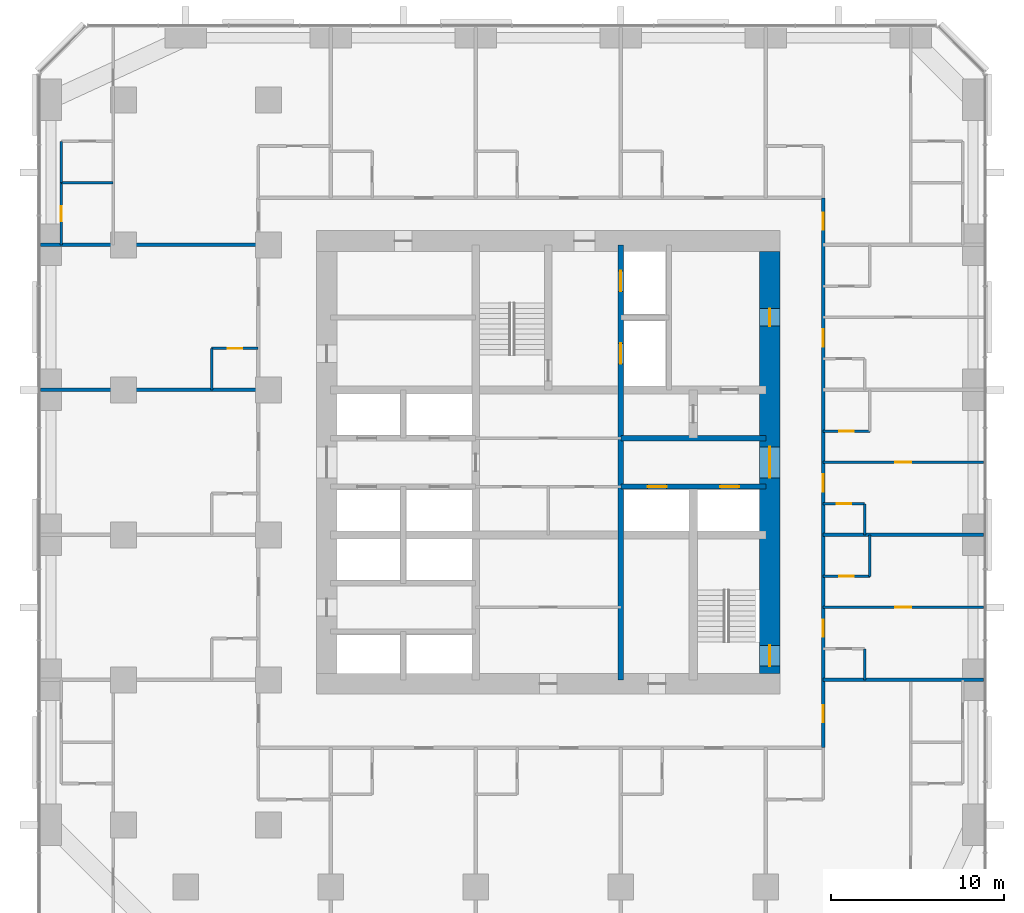
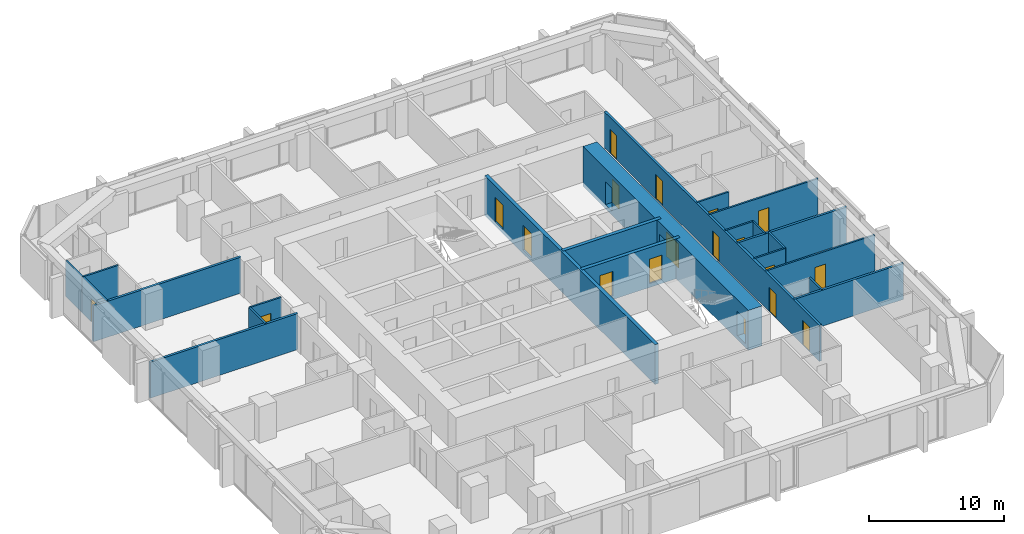
# One storey, part 10 of 13: 22 walls, 19 doors, 19 openings.
"""IFC4 building model written with IfcOpenShell, lengths in metres."""

from ifc_helpers import new_model, si_unit, direction, frame, frame_2d, origin, place, context, subcontext, project, spatial, rectangle, extrude, material, layer, layer_set, type_object, element, fill, save


model = new_model("IFC4")

# Units and contexts
model_context = context("Model", 3, precision=1e-05, world=origin(), true_north=direction((0.0, 1.0)))
body_context = subcontext(model_context, "Body", "Model", "MODEL_VIEW")
ifc_project = project(units=[si_unit("LENGTHUNIT", "METRE"), si_unit("AREAUNIT", "SQUARE_METRE"), si_unit("VOLUMEUNIT", "CUBIC_METRE"), si_unit("PLANEANGLEUNIT", "RADIAN"), si_unit("MASSUNIT", "GRAM", prefix="KILO")], contexts=[model_context])

# Site, building, storey
site_placement = place(None, origin())
site = spatial("IfcSite", under=ifc_project, at=site_placement, CompositionType="ELEMENT")
building_placement = place(site_placement, origin())
building = spatial("IfcBuilding", under=site, at=building_placement, Name="Dunama Terrace Hotel", CompositionType="ELEMENT")
storey_placement = place(building_placement, frame((0.0, 0.0, 115.199951171875)))
storey = spatial("IfcBuildingStorey", under=building, at=storey_placement, Name="L29", CompositionType="ELEMENT", Elevation=115.199951171875)

# Wall, opening, door
ifc_material_1 = material(Name="Gypsum board partition", Category="masonry")
ifc_layer_1 = layer(ifc_material_1, 0.14990234375)
ifc_layer_set_1 = layer_set([ifc_layer_1], Name="Bathroom partition 150")
wall_type_1 = type_object("IfcWallType", Name="Bathroom partition 150", PredefinedType="PARTITIONING", material=ifc_layer_set_1)
wall_1_placement = place(storey_placement, frame((1.199951171875, 42.0, 0.0), z_axis=(0.0, 0.0, 1.0), x_axis=(0.0, 1.0, 0.0)))
wall_1 = element("IfcWall", 1, at=wall_1_placement, inside=storey, type_object=wall_type_1, Name="Bathroom partition 150 L29", PredefinedType="PARTITIONING", context=body_context, shape_type="SweptSolid", body=[
    extrude(rectangle(XDim=3.60009765625, YDim=0.14990234375, at=frame_2d((1.800048828125, 0.0))), origin(), (0.0, 0.0, 1.0), 3.25),
])
opening_1_placement = place(wall_1_placement, frame((1.375, 0.0, 0.0)))
opening_1 = element("IfcOpeningElement", 2, at=opening_1_placement, cuts=wall_1, Name="Opening L28-29-059", PredefinedType="OPENING", context=body_context, shape_type="SweptSolid", body=[
    extrude(rectangle(XDim=0.85009765625, YDim=2.10009765625, at=frame_2d((0.425048828125, 1.050048828125))), frame((0.0, 0.0849609375, 0.0), z_axis=(0.0, -1.0, 0.0), x_axis=(1.0, 0.0, 0.0)), (0.0, 0.0, 1.0), 0.169921875),
])
ifc_material_2 = material(Name="Timber door with steel frame", Category="steel")
door_type_1 = type_object("IfcDoorType", Name="Bathroom door 850", OperationType="SINGLE_SWING_LEFT", PredefinedType="DOOR", material=ifc_material_2)
door_1_placement = place(opening_1_placement, frame((0.85009765625, 0.0, 0.0), z_axis=(0.0, 0.0, 1.0), x_axis=(-1.0, 0.0, 0.0)))
door_1 = element("IfcDoor", 3, at=door_1_placement, inside=storey, type_object=door_type_1, Name="Door to en-suite bathroom L28-29-059, type D2", OperationType="SINGLE_SWING_RIGHT", OverallHeight=2.10009765625, OverallWidth=0.85009765625, PredefinedType="DOOR", context=body_context, shape_type="SweptSolid", body=[
    extrude(rectangle(XDim=0.85009765625, YDim=2.10009765625, at=frame_2d((0.425048828125, 1.050048828125))), frame((0.0, 0.025146484375, 0.0), z_axis=(0.0, -1.0, 0.0), x_axis=(1.0, 0.0, 0.0)), (0.0, 0.0, 1.0), 0.050048828125),
])
fill(opening_1, door_1)

# Walls
wall_2_placement = place(storey_placement, frame((9.89990234375, 33.60009765625, 0.0), z_axis=(0.0, 0.0, 1.0), x_axis=(0.0, 1.0, 0.0)))
element("IfcWall", 4, at=wall_2_placement, inside=storey, type_object=wall_type_1, Name="Bathroom partition 150 L29", PredefinedType="PARTITIONING", context=body_context, shape_type="SweptSolid", body=[
    extrude(rectangle(XDim=2.39990234375, YDim=0.14990234375, at=frame_2d((1.199951171875, 0.0))), origin(), (0.0, 0.0, 1.0), 3.25),
])
for number, where, z_axis, x_axis, name in (
    (5, (47.72509765625, 16.800048828125, 0.0), (0.0, 0.0, 1.0), (0.0, 1.0, 0.0), "Bathroom partition 150 L29"),
    (6, (47.72509765625, 25.199951171875, 0.0), (0.0, 0.0, 1.0), (0.0, 1.0, 0.0), "Bathroom partition 150 L29"),
):
    element("IfcWall", number, at=place(storey_placement, frame(where, z_axis=z_axis, x_axis=x_axis)), inside=storey, type_object=wall_type_1, Name=name, PredefinedType="PARTITIONING", context=body_context, shape_type="SweptSolid", body=[
        extrude(rectangle(XDim=1.800048828125, YDim=0.14990234375, at=frame_2d((0.89990234375, 0.0))), origin(), (0.0, 0.0, 1.0), 3.25),
    ])
wall_3_placement = place(storey_placement, frame((48.02490234375, 22.800048828125, 0.0), z_axis=(0.0, 0.0, 1.0), x_axis=(0.0, 1.0, 0.0)))
element("IfcWall", 7, at=wall_3_placement, inside=storey, type_object=wall_type_1, Name="Bathroom partition 150 L29", PredefinedType="PARTITIONING", context=body_context, shape_type="SweptSolid", body=[
    extrude(rectangle(XDim=2.39990234375, YDim=0.14990234375, at=frame_2d((1.199951171875, 0.0))), origin(), (0.0, 0.0, 1.0), 3.25),
])

# Wall, opening, door
wall_4_placement = place(storey_placement, frame((45.324951171875, 22.800048828125, 0.0), z_axis=(0.0, 0.0, 1.0), x_axis=(1.0, 0.0, 0.0)))
wall_4 = element("IfcWall", 8, at=wall_4_placement, inside=storey, type_object=wall_type_1, Name="Bathroom partition 150 L29", PredefinedType="PARTITIONING", context=body_context, shape_type="SweptSolid", body=[
    extrude(rectangle(XDim=2.699951171875, YDim=0.14990234375, at=frame_2d((1.35009765625, 0.0))), origin(), (0.0, 0.0, 1.0), 3.25),
])
opening_2_placement = place(wall_4_placement, frame((0.925048828125, 0.0, 0.0)))
opening_2 = element("IfcOpeningElement", 9, at=opening_2_placement, cuts=wall_4, Name="Opening L28-29-020", PredefinedType="OPENING", context=body_context, shape_type="SweptSolid", body=[
    extrude(rectangle(XDim=0.85009765625, YDim=2.10009765625, at=frame_2d((0.425048828125, 1.050048828125))), frame((0.0, 0.0849609375, 0.0), z_axis=(0.0, -1.0, 0.0), x_axis=(1.0, 0.0, 0.0)), (0.0, 0.0, 1.0), 0.169921875),
])
door_2_placement = place(opening_2_placement, origin())
door_2 = element("IfcDoor", 10, at=door_2_placement, inside=storey, type_object=door_type_1, Name="Door to en-suite bathroom L28-29-020, type D2", OperationType="SINGLE_SWING_LEFT", OverallHeight=2.10009765625, OverallWidth=0.85009765625, PredefinedType="DOOR", context=body_context, shape_type="SweptSolid", body=[
    extrude(rectangle(XDim=0.85009765625, YDim=2.10009765625, at=frame_2d((0.425048828125, 1.050048828125))), frame((0.0, 0.02490234375, 0.0), z_axis=(0.0, -1.0, 0.0), x_axis=(1.0, 0.0, 0.0)), (0.0, 0.0, 1.0), 0.050048828125),
])
fill(opening_2, door_2)

wall_5_placement = place(storey_placement, frame((45.324951171875, 27.0, 0.0), z_axis=(0.0, 0.0, 1.0), x_axis=(1.0, 0.0, 0.0)))
wall_5 = element("IfcWall", 11, at=wall_5_placement, inside=storey, type_object=wall_type_1, Name="Bathroom partition 150 L29", PredefinedType="PARTITIONING", context=body_context, shape_type="SweptSolid", body=[
    extrude(rectangle(XDim=2.400146484375, YDim=0.14990234375, at=frame_2d((1.2001953125, 0.0))), origin(), (0.0, 0.0, 1.0), 3.25),
])
opening_3_placement = place(wall_5_placement, frame((0.77490234375, 0.0, 0.0)))
opening_3 = element("IfcOpeningElement", 12, at=opening_3_placement, cuts=wall_5, Name="Opening L28-29-022", PredefinedType="OPENING", context=body_context, shape_type="SweptSolid", body=[
    extrude(rectangle(XDim=0.85009765625, YDim=2.10009765625, at=frame_2d((0.425048828125, 1.050048828125))), frame((0.0, 0.0849609375, 0.0), z_axis=(0.0, -1.0, 0.0), x_axis=(1.0, 0.0, 0.0)), (0.0, 0.0, 1.0), 0.169921875),
])
door_3_placement = place(opening_3_placement, frame((0.85009765625, 0.0, 0.0), z_axis=(0.0, 0.0, 1.0), x_axis=(-1.0, 0.0, 0.0)))
door_3 = element("IfcDoor", 13, at=door_3_placement, inside=storey, type_object=door_type_1, Name="Door to powder room L28-29-022, type D2", OperationType="SINGLE_SWING_RIGHT", OverallHeight=2.10009765625, OverallWidth=0.85009765625, PredefinedType="DOOR", context=body_context, shape_type="SweptSolid", body=[
    extrude(rectangle(XDim=0.85009765625, YDim=2.10009765625, at=frame_2d((0.425048828125, 1.050048828125))), frame((0.0, 0.025146484375, 0.0), z_axis=(0.0, -1.0, 0.0), x_axis=(1.0, 0.0, 0.0)), (0.0, 0.0, 1.0), 0.050048828125),
])
fill(opening_3, door_3)

wall_6_placement = place(storey_placement, frame((45.324951171875, 31.199951171875, 0.0), z_axis=(0.0, 0.0, 1.0), x_axis=(1.0, 0.0, 0.0)))
wall_6 = element("IfcWall", 14, at=wall_6_placement, inside=storey, type_object=wall_type_1, Name="Bathroom partition 150 L29", PredefinedType="PARTITIONING", context=body_context, shape_type="SweptSolid", body=[
    extrude(rectangle(XDim=2.699951171875, YDim=0.14990234375, at=frame_2d((1.35009765625, 0.0))), origin(), (0.0, 0.0, 1.0), 3.25),
])
opening_4_placement = place(wall_6_placement, frame((0.925048828125, 0.0, 0.0)))
opening_4 = element("IfcOpeningElement", 15, at=opening_4_placement, cuts=wall_6, Name="Opening L28-29-024", PredefinedType="OPENING", context=body_context, shape_type="SweptSolid", body=[
    extrude(rectangle(XDim=0.85009765625, YDim=2.10009765625, at=frame_2d((0.425048828125, 1.050048828125))), frame((0.0, 0.0849609375, 0.0), z_axis=(0.0, -1.0, 0.0), x_axis=(1.0, 0.0, 0.0)), (0.0, 0.0, 1.0), 0.169921875),
])
door_4_placement = place(opening_4_placement, origin())
door_4 = element("IfcDoor", 16, at=door_4_placement, inside=storey, type_object=door_type_1, Name="Door to en-suite bathroom L28-29-024, type D2", OperationType="SINGLE_SWING_LEFT", OverallHeight=2.10009765625, OverallWidth=0.85009765625, PredefinedType="DOOR", context=body_context, shape_type="SweptSolid", body=[
    extrude(rectangle(XDim=0.85009765625, YDim=2.10009765625, at=frame_2d((0.425048828125, 1.050048828125))), frame((0.0, 0.02490234375, 0.0), z_axis=(0.0, -1.0, 0.0), x_axis=(1.0, 0.0, 0.0)), (0.0, 0.0, 1.0), 0.050048828125),
])
fill(opening_4, door_4)

wall_7_placement = place(storey_placement, frame((9.89990234375, 36.0, 0.0), z_axis=(0.0, 0.0, 1.0), x_axis=(1.0, 0.0, 0.0)))
wall_7 = element("IfcWall", 17, at=wall_7_placement, inside=storey, type_object=wall_type_1, Name="Bathroom partition 150 L29", PredefinedType="PARTITIONING", context=body_context, shape_type="SweptSolid", body=[
    extrude(rectangle(XDim=2.7001953125, YDim=0.14990234375, at=frame_2d((1.35009765625, 0.0))), origin(), (0.0, 0.0, 1.0), 3.25),
])
opening_5_placement = place(wall_7_placement, frame((0.925048828125, 0.0, 0.0)))
opening_5 = element("IfcOpeningElement", 18, at=opening_5_placement, cuts=wall_7, Name="Opening L28-29-040", PredefinedType="OPENING", context=body_context, shape_type="SweptSolid", body=[
    extrude(rectangle(XDim=0.85009765625, YDim=2.10009765625, at=frame_2d((0.425048828125, 1.050048828125))), frame((0.0, 0.0849609375, 0.0), z_axis=(0.0, -1.0, 0.0), x_axis=(1.0, 0.0, 0.0)), (0.0, 0.0, 1.0), 0.169921875),
])
door_5_placement = place(opening_5_placement, frame((0.85009765625, 0.0, 0.0), z_axis=(0.0, 0.0, 1.0), x_axis=(-1.0, 0.0, 0.0)))
door_5 = element("IfcDoor", 19, at=door_5_placement, inside=storey, type_object=door_type_1, Name="Door to en-suite bathroom L28-29-040, type D2", OperationType="SINGLE_SWING_LEFT", OverallHeight=2.10009765625, OverallWidth=0.85009765625, PredefinedType="DOOR", context=body_context, shape_type="SweptSolid", body=[
    extrude(rectangle(XDim=0.85009765625, YDim=2.10009765625, at=frame_2d((0.425048828125, 1.050048828125))), frame((0.0, 0.025146484375, 0.0), z_axis=(0.0, -1.0, 0.0), x_axis=(1.0, 0.0, 0.0)), (0.0, 0.0, 1.0), 0.050048828125),
])
fill(opening_5, door_5)

# Wall, openings, doors
ifc_material_3 = material(Name="Concrete C50/60", Category="concrete")
ifc_layer_2 = layer(ifc_material_3, 0.300048828125)
ifc_layer_set_2 = layer_set([ifc_layer_2], Name="Core inner wall 300")
wall_type_2 = type_object("IfcWallType", Name="Core inner wall 300", PredefinedType="SHEAR", material=ifc_layer_set_2)
wall_8_placement = place(storey_placement, frame((33.60009765625, 16.800048828125, -0.349853515625), z_axis=(0.0, 0.0, 1.0), x_axis=(0.0, 1.0, 0.0)))
wall_8 = element("IfcWall", 20, at=wall_8_placement, inside=storey, type_object=wall_type_2, Name="Core inner wall 300 L29", PredefinedType="SHEAR", context=body_context, shape_type="SweptSolid", body=[
    extrude(rectangle(XDim=25.199951171875, YDim=0.300048828125, at=frame_2d((12.60009765625, 0.0))), origin(), (0.0, 0.0, 1.0), 3.599853515625),
])
opening_6_placement = place(wall_8_placement, frame((22.5, 0.0, 0.35009765625)))
opening_6 = element("IfcOpeningElement", 21, at=opening_6_placement, cuts=wall_8, Name="Opening L28-29-009", PredefinedType="OPENING", context=body_context, shape_type="SweptSolid", body=[
    extrude(rectangle(XDim=1.199951171875, YDim=2.199951171875, at=frame_2d((0.60009765625, 1.10009765625))), frame((0.0, 0.159912109375, 0.0), z_axis=(0.0, -1.0, 0.0), x_axis=(1.0, 0.0, 0.0)), (0.0, 0.0, 1.0), 0.320068359375),
])
opening_7_placement = place(wall_8_placement, frame((18.300048828125, 0.0, 0.35009765625)))
opening_7 = element("IfcOpeningElement", 22, at=opening_7_placement, cuts=wall_8, Name="Opening L28-29-010", PredefinedType="OPENING", context=body_context, shape_type="SweptSolid", body=[
    extrude(rectangle(XDim=1.199951171875, YDim=2.199951171875, at=frame_2d((0.60009765625, 1.10009765625))), frame((0.0, 0.159912109375, 0.0), z_axis=(0.0, -1.0, 0.0), x_axis=(1.0, 0.0, 0.0)), (0.0, 0.0, 1.0), 0.320068359375),
])
ifc_material_4 = material(Name="Stainless steel lift door", Category="steel")
door_type_2 = type_object("IfcDoorType", Name="Firefighting lift landing door 1200", OperationType="DOUBLE_DOOR_SLIDING", PredefinedType="DOOR", material=ifc_material_4)
door_6_placement = place(opening_6_placement, origin())
door_6 = element("IfcDoor", 23, at=door_6_placement, inside=storey, type_object=door_type_2, Name="Landing door FL1 L28-29-009, type LD2", OperationType="DOUBLE_DOOR_SLIDING", OverallHeight=2.199951171875, OverallWidth=1.199951171875, PredefinedType="DOOR", context=body_context, shape_type="SweptSolid", body=[
    extrude(rectangle(XDim=1.199951171875, YDim=2.199951171875, at=frame_2d((0.60009765625, 1.10009765625))), frame((0.0, 0.02490234375, 0.0), z_axis=(0.0, -1.0, 0.0), x_axis=(1.0, 0.0, 0.0)), (0.0, 0.0, 1.0), 0.050048828125),
])
fill(opening_6, door_6)
door_7_placement = place(opening_7_placement, origin())
door_7 = element("IfcDoor", 24, at=door_7_placement, inside=storey, type_object=door_type_2, Name="Landing door FL2 L28-29-010, type LD2", OperationType="DOUBLE_DOOR_SLIDING", OverallHeight=2.199951171875, OverallWidth=1.199951171875, PredefinedType="DOOR", context=body_context, shape_type="SweptSolid", body=[
    extrude(rectangle(XDim=1.199951171875, YDim=2.199951171875, at=frame_2d((0.60009765625, 1.10009765625))), frame((0.0, 0.02490234375, 0.0), z_axis=(0.0, -1.0, 0.0), x_axis=(1.0, 0.0, 0.0)), (0.0, 0.0, 1.0), 0.050048828125),
])
fill(opening_7, door_7)

wall_9_placement = place(storey_placement, frame((33.60009765625, 28.0, -0.349853515625), z_axis=(0.0, 0.0, 1.0), x_axis=(1.0, 0.0, 0.0)))
wall_9 = element("IfcWall", 25, at=wall_9_placement, inside=storey, type_object=wall_type_2, Name="Core inner wall 300 L29", PredefinedType="SHEAR", context=body_context, shape_type="SweptSolid", body=[
    extrude(rectangle(XDim=8.39990234375, YDim=0.300048828125, at=frame_2d((4.199951171875, 0.0))), origin(), (0.0, 0.0, 1.0), 3.599853515625),
])
opening_8_placement = place(wall_9_placement, frame((1.550048828125, 0.0, 0.35009765625)))
opening_8 = element("IfcOpeningElement", 26, at=opening_8_placement, cuts=wall_9, Name="Opening L28-29-003", PredefinedType="OPENING", context=body_context, shape_type="SweptSolid", body=[
    extrude(rectangle(XDim=1.10009765625, YDim=2.199951171875, at=frame_2d((0.550048828125, 1.10009765625))), frame((0.0, 0.159912109375, 0.0), z_axis=(0.0, -1.0, 0.0), x_axis=(1.0, 0.0, 0.0)), (0.0, 0.0, 1.0), 0.320068359375),
])
opening_9_placement = place(wall_9_placement, frame((5.75, 0.0, 0.35009765625)))
opening_9 = element("IfcOpeningElement", 27, at=opening_9_placement, cuts=wall_9, Name="Opening L28-29-004", PredefinedType="OPENING", context=body_context, shape_type="SweptSolid", body=[
    extrude(rectangle(XDim=1.10009765625, YDim=2.199951171875, at=frame_2d((0.550048828125, 1.10009765625))), frame((0.0, 0.159912109375, 0.0), z_axis=(0.0, -1.0, 0.0), x_axis=(1.0, 0.0, 0.0)), (0.0, 0.0, 1.0), 0.320068359375),
])
ifc_material_5 = material(Name="Stainless steel lift door", Category="steel")
door_type_3 = type_object("IfcDoorType", Name="Lift landing door 1100", OperationType="DOUBLE_DOOR_SLIDING", PredefinedType="DOOR", material=ifc_material_5)
door_8_placement = place(opening_8_placement, origin())
door_8 = element("IfcDoor", 28, at=door_8_placement, inside=storey, type_object=door_type_3, Name="Landing door PB1 L28-29-003, type LD1", OperationType="DOUBLE_DOOR_SLIDING", OverallHeight=2.199951171875, OverallWidth=1.10009765625, PredefinedType="DOOR", context=body_context, shape_type="SweptSolid", body=[
    extrude(rectangle(XDim=1.10009765625, YDim=2.199951171875, at=frame_2d((0.550048828125, 1.10009765625))), frame((0.0, 0.02490234375, 0.0), z_axis=(0.0, -1.0, 0.0), x_axis=(1.0, 0.0, 0.0)), (0.0, 0.0, 1.0), 0.050048828125),
])
fill(opening_8, door_8)
door_9_placement = place(opening_9_placement, origin())
door_9 = element("IfcDoor", 29, at=door_9_placement, inside=storey, type_object=door_type_3, Name="Landing door PB2 L28-29-004, type LD1", OperationType="DOUBLE_DOOR_SLIDING", OverallHeight=2.199951171875, OverallWidth=1.10009765625, PredefinedType="DOOR", context=body_context, shape_type="SweptSolid", body=[
    extrude(rectangle(XDim=1.10009765625, YDim=2.199951171875, at=frame_2d((0.550048828125, 1.10009765625))), frame((0.0, 0.02490234375, 0.0), z_axis=(0.0, -1.0, 0.0), x_axis=(1.0, 0.0, 0.0)), (0.0, 0.0, 1.0), 0.050048828125),
])
fill(opening_9, door_9)

# Wall
wall_10_placement = place(storey_placement, frame((33.60009765625, 30.800048828125, -0.349853515625), z_axis=(0.0, 0.0, 1.0), x_axis=(1.0, 0.0, 0.0)))
element("IfcWall", 30, at=wall_10_placement, inside=storey, type_object=wall_type_2, Name="Core inner wall 300 L29", PredefinedType="SHEAR", context=body_context, shape_type="SweptSolid", body=[
    extrude(rectangle(XDim=8.39990234375, YDim=0.300048828125, at=frame_2d((4.199951171875, 0.0))), origin(), (0.0, 0.0, 1.0), 3.599853515625),
])

# Wall, openings, doors
ifc_material_6 = material(Name="Concrete C60/75", Category="concrete")
ifc_layer_3 = layer(ifc_material_6, 1.199951171875)
ifc_layer_set_3 = layer_set([ifc_layer_3], Name="Core wall 1200")
wall_type_3 = type_object("IfcWallType", Name="Core wall 1200", PredefinedType="SHEAR", material=ifc_layer_set_3)
wall_11_placement = place(storey_placement, frame((42.22509765625, 17.175048828125, -0.349853515625), z_axis=(0.0, 0.0, 1.0), x_axis=(0.0, 1.0, 0.0)))
wall_11 = element("IfcWall", 31, at=wall_11_placement, inside=storey, type_object=wall_type_3, Name="Core wall east L29", PredefinedType="SHEAR", context=body_context, shape_type="SweptSolid", body=[
    extrude(rectangle(XDim=24.449951171875, YDim=1.199951171875, at=frame_2d((12.22509765625, 0.0))), origin(), (0.0, 0.0, 1.0), 3.599853515625),
])
opening_10_placement = place(wall_11_placement, frame((0.425048828125, 0.0, 0.35009765625)))
opening_10 = element("IfcOpeningElement", 32, at=opening_10_placement, cuts=wall_11, Name="Opening L28-29-002", PredefinedType="OPENING", context=body_context, shape_type="SweptSolid", body=[
    extrude(rectangle(XDim=1.199951171875, YDim=2.199951171875, at=frame_2d((0.60009765625, 1.10009765625))), frame((0.0, 0.60986328125, 0.0), z_axis=(0.0, -1.0, 0.0), x_axis=(1.0, 0.0, 0.0)), (0.0, 0.0, 1.0), 1.219970703125),
])
opening_11_placement = place(wall_11_placement, frame((11.324951171875, 0.0, 0.35009765625)))
opening_11 = element("IfcOpeningElement", 33, at=opening_11_placement, cuts=wall_11, Name="Opening L28-29-071", PredefinedType="OPENING", context=body_context, shape_type="SweptSolid", body=[
    extrude(rectangle(XDim=1.800048828125, YDim=2.199951171875, at=frame_2d((0.89990234375, 1.10009765625))), frame((0.0, 0.60986328125, 0.0), z_axis=(0.0, -1.0, 0.0), x_axis=(1.0, 0.0, 0.0)), (0.0, 0.0, 1.0), 1.219970703125),
])
opening_12_placement = place(wall_11_placement, frame((20.125, 0.0, 0.35009765625)))
opening_12 = element("IfcOpeningElement", 34, at=opening_12_placement, cuts=wall_11, Name="Opening L28-29-073", PredefinedType="OPENING", context=body_context, shape_type="SweptSolid", body=[
    extrude(rectangle(XDim=1.0, YDim=2.10009765625, at=frame_2d((0.5, 1.050048828125))), frame((0.0, 0.60986328125, 0.0), z_axis=(0.0, -1.0, 0.0), x_axis=(1.0, 0.0, 0.0)), (0.0, 0.0, 1.0), 1.219970703125),
])
ifc_material_7 = material(Name="Timber door with steel frame", Category="steel")
door_type_4 = type_object("IfcDoorType", Name="Lift lobby double door 1800", OperationType="DOUBLE_DOOR_DOUBLE_SWING", PredefinedType="DOOR", material=ifc_material_7)
door_10_placement = place(opening_11_placement, origin())
door_10 = element("IfcDoor", 35, at=door_10_placement, inside=storey, type_object=door_type_4, Name="Door to lift lobby L28-29-071, type D3", OperationType="DOUBLE_DOOR_DOUBLE_SWING", OverallHeight=2.199951171875, OverallWidth=1.800048828125, PredefinedType="DOOR", context=body_context, shape_type="SweptSolid", body=[
    extrude(rectangle(XDim=1.800048828125, YDim=2.199951171875, at=frame_2d((0.89990234375, 1.10009765625))), frame((0.0, 0.02490234375, 0.0), z_axis=(0.0, -1.0, 0.0), x_axis=(1.0, 0.0, 0.0)), (0.0, 0.0, 1.0), 0.050048828125),
])
fill(opening_11, door_10)
ifc_material_8 = material(Name="Timber door with steel frame", Category="steel")
door_type_5 = type_object("IfcDoorType", Name="Service door 1000", OperationType="SINGLE_SWING_LEFT", PredefinedType="DOOR", material=ifc_material_8)
door_11_placement = place(opening_12_placement, origin())
door_11 = element("IfcDoor", 36, at=door_11_placement, inside=storey, type_object=door_type_5, Name="Door to linen store L28-29-073, type D7", OperationType="SINGLE_SWING_LEFT", OverallHeight=2.10009765625, OverallWidth=1.0, PredefinedType="DOOR", context=body_context, shape_type="SweptSolid", body=[
    extrude(rectangle(XDim=1.0, YDim=2.10009765625, at=frame_2d((0.5, 1.050048828125))), frame((0.0, 0.02490234375, 0.0), z_axis=(0.0, -1.0, 0.0), x_axis=(1.0, 0.0, 0.0)), (0.0, 0.0, 1.0), 0.050048828125),
])
fill(opening_12, door_11)
ifc_material_9 = material(Name="Timber door with steel frame", Category="steel")
door_type_6 = type_object("IfcDoorType", Name="Stair door 1200", OperationType="SINGLE_SWING_LEFT", PredefinedType="DOOR", material=ifc_material_9)
door_12_placement = place(opening_10_placement, origin())
door_12 = element("IfcDoor", 37, at=door_12_placement, inside=storey, type_object=door_type_6, Name="Stair door ST2 L28-29-002, type D5", OperationType="SINGLE_SWING_LEFT", OverallHeight=2.199951171875, OverallWidth=1.199951171875, PredefinedType="DOOR", context=body_context, shape_type="SweptSolid", body=[
    extrude(rectangle(XDim=1.199951171875, YDim=2.199951171875, at=frame_2d((0.60009765625, 1.10009765625))), frame((0.0, 0.02490234375, 0.0), z_axis=(0.0, -1.0, 0.0), x_axis=(1.0, 0.0, 0.0)), (0.0, 0.0, 1.0), 0.050048828125),
])
fill(opening_10, door_12)

ifc_material_10 = material(Name="Concrete blockwork", Category="masonry")
ifc_layer_4 = layer(ifc_material_10, 0.199951171875)
ifc_layer_set_4 = layer_set([ifc_layer_4], Name="Corridor partition 200")
wall_type_4 = type_object("IfcWallType", Name="Corridor partition 200", PredefinedType="PARTITIONING", material=ifc_layer_set_4)
wall_12_placement = place(storey_placement, frame((45.324951171875, 44.72509765625, 0.0), z_axis=(0.0, 0.0, 1.0), x_axis=(0.0, -1.0, 0.0)))
wall_12 = element("IfcWall", 38, at=wall_12_placement, inside=storey, type_object=wall_type_4, Name="Corridor partition 200 L29", PredefinedType="PARTITIONING", context=body_context, shape_type="SweptSolid", body=[
    extrude(rectangle(XDim=31.85009765625, YDim=0.199951171875, at=frame_2d((15.925048828125, 0.0))), origin(), (0.0, 0.0, 1.0), 3.25),
])
opening_13_placement = place(wall_12_placement, frame((24.425048828125, 0.0, 0.0)))
opening_13 = element("IfcOpeningElement", 39, at=opening_13_placement, cuts=wall_12, Name="Opening L28-29-017", PredefinedType="OPENING", context=body_context, shape_type="SweptSolid", body=[
    extrude(rectangle(XDim=1.0, YDim=2.199951171875, at=frame_2d((0.5, 1.10009765625))), frame((0.0, 0.10986328125, 0.0), z_axis=(0.0, -1.0, 0.0), x_axis=(1.0, 0.0, 0.0)), (0.0, 0.0, 1.0), 0.219970703125),
])
opening_14_placement = place(wall_12_placement, frame((16.02490234375, 0.0, 0.0)))
opening_14 = element("IfcOpeningElement", 40, at=opening_14_placement, cuts=wall_12, Name="Opening L28-29-021", PredefinedType="OPENING", context=body_context, shape_type="SweptSolid", body=[
    extrude(rectangle(XDim=1.0, YDim=2.199951171875, at=frame_2d((0.5, 1.10009765625))), frame((0.0, 0.10986328125, 0.0), z_axis=(0.0, -1.0, 0.0), x_axis=(1.0, 0.0, 0.0)), (0.0, 0.0, 1.0), 0.219970703125),
])
opening_15_placement = place(wall_12_placement, frame((7.625, 0.0, 0.0)))
opening_15 = element("IfcOpeningElement", 41, at=opening_15_placement, cuts=wall_12, Name="Opening L28-29-025", PredefinedType="OPENING", context=body_context, shape_type="SweptSolid", body=[
    extrude(rectangle(XDim=1.0, YDim=2.199951171875, at=frame_2d((0.5, 1.10009765625))), frame((0.0, 0.10986328125, 0.0), z_axis=(0.0, -1.0, 0.0), x_axis=(1.0, 0.0, 0.0)), (0.0, 0.0, 1.0), 0.219970703125),
])
opening_16_placement = place(wall_12_placement, frame((29.386962890625, 0.0, 0.0)))
opening_16 = element("IfcOpeningElement", 42, at=opening_16_placement, cuts=wall_12, Name="Opening L28-29-046", PredefinedType="OPENING", context=body_context, shape_type="SweptSolid", body=[
    extrude(rectangle(XDim=1.0, YDim=2.199951171875, at=frame_2d((0.5, 1.10009765625))), frame((0.0, 0.10986328125, 0.0), z_axis=(0.0, -1.0, 0.0), x_axis=(1.0, 0.0, 0.0)), (0.0, 0.0, 1.0), 0.219970703125),
])
opening_17_placement = place(wall_12_placement, frame((0.863037109375, 0.0, 0.0)))
opening_17 = element("IfcOpeningElement", 43, at=opening_17_placement, cuts=wall_12, Name="Opening L28-29-051", PredefinedType="OPENING", context=body_context, shape_type="SweptSolid", body=[
    extrude(rectangle(XDim=1.0, YDim=2.199951171875, at=frame_2d((0.5, 1.10009765625))), frame((0.0, 0.10986328125, 0.0), z_axis=(0.0, -1.0, 0.0), x_axis=(1.0, 0.0, 0.0)), (0.0, 0.0, 1.0), 0.219970703125),
])
ifc_material_11 = material(Name="Timber door with steel frame", Category="steel")
door_type_7 = type_object("IfcDoorType", Name="Guest room door 1000", OperationType="SINGLE_SWING_LEFT", PredefinedType="DOOR", material=ifc_material_11)
door_13_placement = place(opening_13_placement, origin())
door_13 = element("IfcDoor", 44, at=door_13_placement, inside=storey, type_object=door_type_7, Name="Door to premier suite living room L28-29-017, type D1", OperationType="SINGLE_SWING_RIGHT", OverallHeight=2.199951171875, OverallWidth=1.0, PredefinedType="DOOR", context=body_context, shape_type="SweptSolid", body=[
    extrude(rectangle(XDim=1.0, YDim=2.199951171875, at=frame_2d((0.5, 1.10009765625))), frame((0.0, 0.02490234375, 0.0), z_axis=(0.0, -1.0, 0.0), x_axis=(1.0, 0.0, 0.0)), (0.0, 0.0, 1.0), 0.050048828125),
])
fill(opening_13, door_13)
door_14_placement = place(opening_14_placement, origin())
door_14 = element("IfcDoor", 45, at=door_14_placement, inside=storey, type_object=door_type_7, Name="Door to premier suite living room L28-29-021, type D1", OperationType="SINGLE_SWING_LEFT", OverallHeight=2.199951171875, OverallWidth=1.0, PredefinedType="DOOR", context=body_context, shape_type="SweptSolid", body=[
    extrude(rectangle(XDim=1.0, YDim=2.199951171875, at=frame_2d((0.5, 1.10009765625))), frame((0.0, 0.02490234375, 0.0), z_axis=(0.0, -1.0, 0.0), x_axis=(1.0, 0.0, 0.0)), (0.0, 0.0, 1.0), 0.050048828125),
])
fill(opening_14, door_14)
door_15_placement = place(opening_15_placement, origin())
door_15 = element("IfcDoor", 46, at=door_15_placement, inside=storey, type_object=door_type_7, Name="Door to premier suite living room L28-29-025, type D1", OperationType="SINGLE_SWING_LEFT", OverallHeight=2.199951171875, OverallWidth=1.0, PredefinedType="DOOR", context=body_context, shape_type="SweptSolid", body=[
    extrude(rectangle(XDim=1.0, YDim=2.199951171875, at=frame_2d((0.5, 1.10009765625))), frame((0.0, 0.02490234375, 0.0), z_axis=(0.0, -1.0, 0.0), x_axis=(1.0, 0.0, 0.0)), (0.0, 0.0, 1.0), 0.050048828125),
])
fill(opening_15, door_15)
door_16_placement = place(opening_16_placement, origin())
door_16 = element("IfcDoor", 47, at=door_16_placement, inside=storey, type_object=door_type_7, Name="Door to corner suite living room L28-29-046, type D1", OperationType="SINGLE_SWING_LEFT", OverallHeight=2.199951171875, OverallWidth=1.0, PredefinedType="DOOR", context=body_context, shape_type="SweptSolid", body=[
    extrude(rectangle(XDim=1.0, YDim=2.199951171875, at=frame_2d((0.5, 1.10009765625))), frame((0.0, 0.02490234375, 0.0), z_axis=(0.0, -1.0, 0.0), x_axis=(1.0, 0.0, 0.0)), (0.0, 0.0, 1.0), 0.050048828125),
])
fill(opening_16, door_16)
door_17_placement = place(opening_17_placement, origin())
door_17 = element("IfcDoor", 48, at=door_17_placement, inside=storey, type_object=door_type_7, Name="Door to corner suite living room L28-29-051, type D1", OperationType="SINGLE_SWING_RIGHT", OverallHeight=2.199951171875, OverallWidth=1.0, PredefinedType="DOOR", context=body_context, shape_type="SweptSolid", body=[
    extrude(rectangle(XDim=1.0, YDim=2.199951171875, at=frame_2d((0.5, 1.10009765625))), frame((0.0, 0.02490234375, 0.0), z_axis=(0.0, -1.0, 0.0), x_axis=(1.0, 0.0, 0.0)), (0.0, 0.0, 1.0), 0.050048828125),
])
fill(opening_17, door_17)

# Walls
ifc_material_12 = material(Name="Concrete blockwork", Category="masonry")
ifc_layer_5 = layer(ifc_material_12, 0.199951171875)
ifc_layer_set_5 = layer_set([ifc_layer_5], Name="Party wall 200")
wall_type_5 = type_object("IfcWallType", Name="Party wall 200", PredefinedType="PARTITIONING", material=ifc_layer_set_5)
for number, where, z_axis, x_axis, name in (
    (49, (45.324951171875, 16.800048828125, 0.0), (0.0, 0.0, 1.0), (1.0, 0.0, 0.0), "Party wall 200 L29"),
    (50, (45.324951171875, 25.199951171875, 0.0), (0.0, 0.0, 1.0), (1.0, 0.0, 0.0), "Party wall 200 L29"),
):
    element("IfcWall", number, at=place(storey_placement, frame(where, z_axis=z_axis, x_axis=x_axis)), inside=storey, type_object=wall_type_5, Name=name, PredefinedType="PARTITIONING", context=body_context, shape_type="SweptSolid", body=[
        extrude(rectangle(XDim=9.29296875, YDim=0.199951171875, at=frame_2d((4.646484375, 0.0))), origin(), (0.0, 0.0, 1.0), 3.25),
    ])
for number, where, z_axis, x_axis, name in (
    (51, (-0.01806640625, 33.60009765625, 0.0), (0.0, 0.0, 1.0), (1.0, 0.0, 0.0), "Party wall 200 L29"),
    (52, (-0.01806640625, 42.0, 0.0), (0.0, 0.0, 1.0), (1.0, 0.0, 0.0), "Party wall 200 L29"),
):
    element("IfcWall", number, at=place(storey_placement, frame(where, z_axis=z_axis, x_axis=x_axis)), inside=storey, type_object=wall_type_5, Name=name, PredefinedType="PARTITIONING", context=body_context, shape_type="SweptSolid", body=[
        extrude(rectangle(XDim=12.6181640625, YDim=0.199951171875, at=frame_2d((6.30908203125, 0.0))), origin(), (0.0, 0.0, 1.0), 3.25),
    ])
ifc_material_13 = material(Name="Gypsum board partition", Category="masonry")
ifc_layer_6 = layer(ifc_material_13, 0.14990234375)
ifc_layer_set_6 = layer_set([ifc_layer_6], Name="Room partition 150")
wall_type_6 = type_object("IfcWallType", Name="Room partition 150", PredefinedType="PARTITIONING", material=ifc_layer_set_6)
wall_13_placement = place(storey_placement, frame((1.199951171875, 45.60009765625, 0.0), z_axis=(0.0, 0.0, 1.0), x_axis=(0.0, 1.0, 0.0)))
element("IfcWall", 53, at=wall_13_placement, inside=storey, type_object=wall_type_6, Name="Room partition 150 L29", PredefinedType="PARTITIONING", context=body_context, shape_type="SweptSolid", body=[
    extrude(rectangle(XDim=2.39990234375, YDim=0.14990234375, at=frame_2d((1.199951171875, 0.0))), origin(), (0.0, 0.0, 1.0), 3.25),
])

# Wall, opening, door
wall_14_placement = place(storey_placement, frame((45.324951171875, 21.0, 0.0), z_axis=(0.0, 0.0, 1.0), x_axis=(1.0, 0.0, 0.0)))
wall_14 = element("IfcWall", 54, at=wall_14_placement, inside=storey, type_object=wall_type_6, Name="Room partition 150 L29", PredefinedType="PARTITIONING", context=body_context, shape_type="SweptSolid", body=[
    extrude(rectangle(XDim=9.29296875, YDim=0.14990234375, at=frame_2d((4.646484375, 0.0))), origin(), (0.0, 0.0, 1.0), 3.25),
])
opening_18_placement = place(wall_14_placement, frame((4.18798828125, 0.0, 0.0)))
opening_18 = element("IfcOpeningElement", 55, at=opening_18_placement, cuts=wall_14, Name="Opening L28-29-019", PredefinedType="OPENING", context=body_context, shape_type="SweptSolid", body=[
    extrude(rectangle(XDim=0.89990234375, YDim=2.10009765625, at=frame_2d((0.449951171875, 1.050048828125))), frame((0.0, 0.0849609375, 0.0), z_axis=(0.0, -1.0, 0.0), x_axis=(1.0, 0.0, 0.0)), (0.0, 0.0, 1.0), 0.169921875),
])
ifc_material_14 = material(Name="Timber door with steel frame", Category="steel")
door_type_8 = type_object("IfcDoorType", Name="Suite internal door 900", OperationType="SINGLE_SWING_LEFT", PredefinedType="DOOR", material=ifc_material_14)
door_18_placement = place(opening_18_placement, origin())
door_18 = element("IfcDoor", 56, at=door_18_placement, inside=storey, type_object=door_type_8, Name="Door to premier suite bedroom L28-29-019, type D16", OperationType="SINGLE_SWING_LEFT", OverallHeight=2.10009765625, OverallWidth=0.89990234375, PredefinedType="DOOR", context=body_context, shape_type="SweptSolid", body=[
    extrude(rectangle(XDim=0.89990234375, YDim=2.10009765625, at=frame_2d((0.449951171875, 1.050048828125))), frame((0.0, 0.02490234375, 0.0), z_axis=(0.0, -1.0, 0.0), x_axis=(1.0, 0.0, 0.0)), (0.0, 0.0, 1.0), 0.050048828125),
])
fill(opening_18, door_18)

wall_15_placement = place(storey_placement, frame((45.324951171875, 29.39990234375, 0.0), z_axis=(0.0, 0.0, 1.0), x_axis=(1.0, 0.0, 0.0)))
wall_15 = element("IfcWall", 57, at=wall_15_placement, inside=storey, type_object=wall_type_6, Name="Room partition 150 L29", PredefinedType="PARTITIONING", context=body_context, shape_type="SweptSolid", body=[
    extrude(rectangle(XDim=9.29296875, YDim=0.14990234375, at=frame_2d((4.646484375, 0.0))), origin(), (0.0, 0.0, 1.0), 3.25),
])
opening_19_placement = place(wall_15_placement, frame((4.18798828125, 0.0, 0.0)))
opening_19 = element("IfcOpeningElement", 58, at=opening_19_placement, cuts=wall_15, Name="Opening L28-29-023", PredefinedType="OPENING", context=body_context, shape_type="SweptSolid", body=[
    extrude(rectangle(XDim=0.89990234375, YDim=2.10009765625, at=frame_2d((0.449951171875, 1.050048828125))), frame((0.0, 0.0849609375, 0.0), z_axis=(0.0, -1.0, 0.0), x_axis=(1.0, 0.0, 0.0)), (0.0, 0.0, 1.0), 0.169921875),
])
door_19_placement = place(opening_19_placement, origin())
door_19 = element("IfcDoor", 59, at=door_19_placement, inside=storey, type_object=door_type_8, Name="Door to premier suite bedroom L28-29-023, type D16", OperationType="SINGLE_SWING_LEFT", OverallHeight=2.10009765625, OverallWidth=0.89990234375, PredefinedType="DOOR", context=body_context, shape_type="SweptSolid", body=[
    extrude(rectangle(XDim=0.89990234375, YDim=2.10009765625, at=frame_2d((0.449951171875, 1.050048828125))), frame((0.0, 0.02490234375, 0.0), z_axis=(0.0, -1.0, 0.0), x_axis=(1.0, 0.0, 0.0)), (0.0, 0.0, 1.0), 0.050048828125),
])
fill(opening_19, door_19)

# Wall
wall_16_placement = place(storey_placement, frame((1.199951171875, 45.60009765625, 0.0), z_axis=(0.0, 0.0, 1.0), x_axis=(1.0, 0.0, 0.0)))
element("IfcWall", 60, at=wall_16_placement, inside=storey, type_object=wall_type_6, Name="Room partition 150 L29", PredefinedType="PARTITIONING", context=body_context, shape_type="SweptSolid", body=[
    extrude(rectangle(XDim=3.0, YDim=0.14990234375, at=frame_2d((1.5, 0.0))), origin(), (0.0, 0.0, 1.0), 3.25),
])

save(model, "model.ifc")
